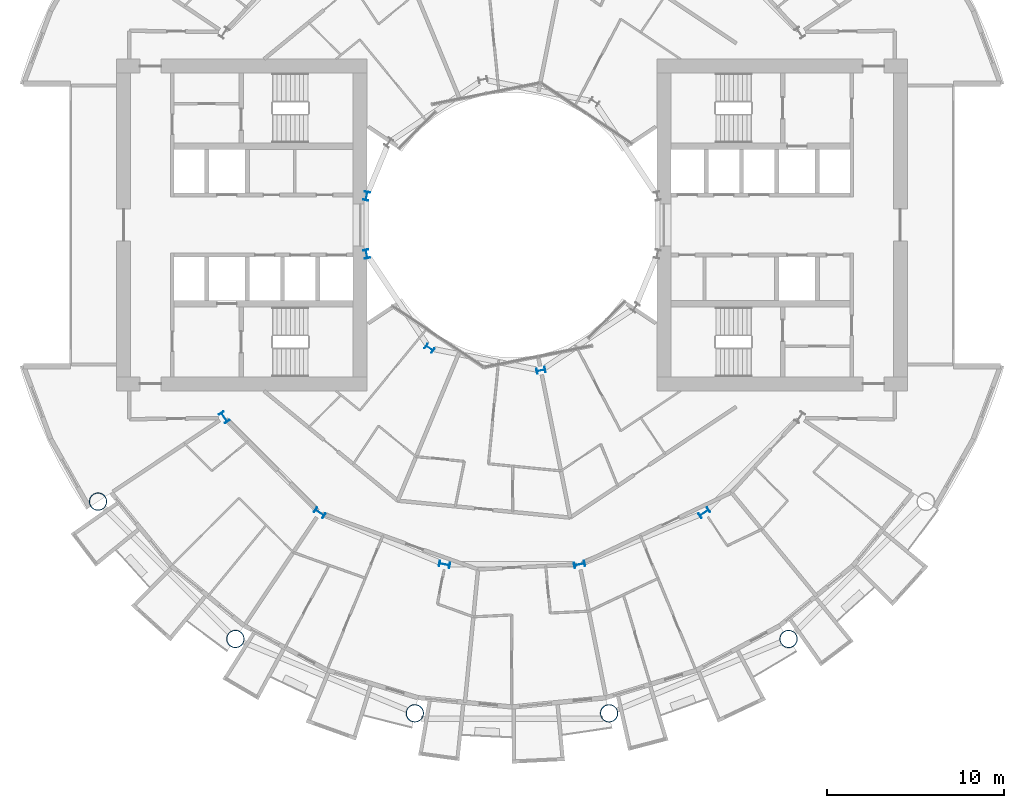
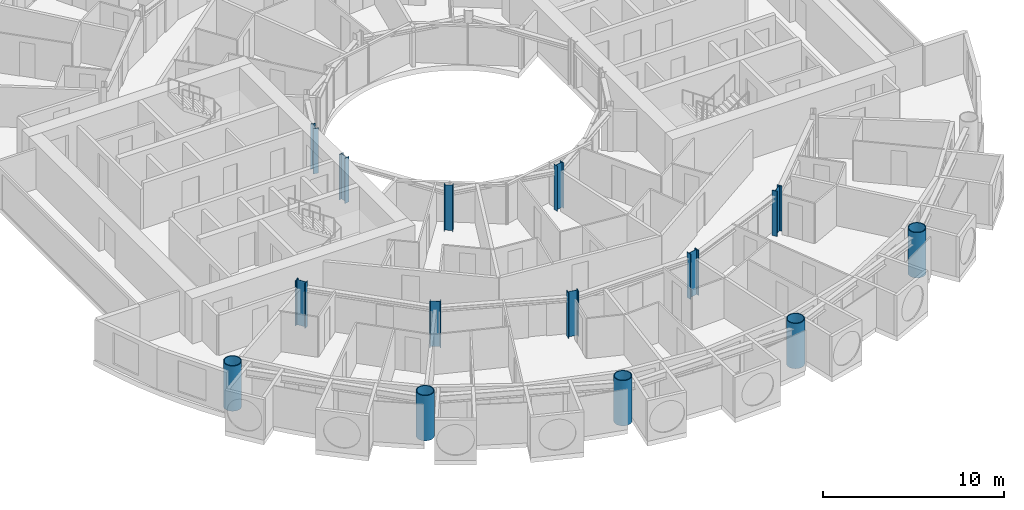
# One storey, part 1 of 26: 14 columns.
"""IFC4 building model written with IfcOpenShell, lengths in metres."""

from ifc_helpers import new_model, si_unit, direction, frame, origin, origin_2d, place, context, subcontext, project, spatial, hollow_circle, i_section, extrude, material, material_profile, profile_set, type_object, element, save


model = new_model("IFC4")

# Units and contexts
model_context = context("Model", 3, precision=1e-05, world=origin(), true_north=direction((0.0, 1.0)))
body_context = subcontext(model_context, "Body", "Model", "MODEL_VIEW")
ifc_project = project(units=[si_unit("LENGTHUNIT", "METRE"), si_unit("AREAUNIT", "SQUARE_METRE"), si_unit("VOLUMEUNIT", "CUBIC_METRE"), si_unit("PLANEANGLEUNIT", "RADIAN"), si_unit("MASSUNIT", "GRAM", prefix="KILO")], contexts=[model_context])

# Site, building, storey
site_placement = place(None, origin())
site = spatial("IfcSite", under=ifc_project, at=site_placement, CompositionType="ELEMENT")
building_placement = place(site_placement, origin())
building = spatial("IfcBuilding", under=site, at=building_placement, Name="Maasbend Ring Residences", CompositionType="ELEMENT")
storey_placement = place(building_placement, frame((0.0, 0.0, 25.85009765625)))
storey = spatial("IfcBuildingStorey", under=building, at=storey_placement, Name="L06", CompositionType="ELEMENT", Elevation=25.85009765625)

# Columns
ifc_material_1 = material(Name="Composite concrete-filled steel tube S460NH / C80/95", Category="concrete")
ifc_material_profile_1 = material_profile(ifc_material_1, hollow_circle(Radius=0.508056640625, WallThickness=0.050048828125, at=origin_2d()), Name="Composite tube column CHS 1016x50")
ifc_profile_set_1 = profile_set([ifc_material_profile_1], Name="Composite concrete-filled steel tube S460NH / C80/95")
column_type_1 = type_object("IfcColumnType", Name="Composite tube column CHS 1016x50", PredefinedType="COLUMN", material=ifc_profile_set_1)
for number, where, z_axis, x_axis, name in (
    (1, (-23.447509765625, -15.6669921875, 0.0), (0.0, 0.0, 1.0), (1.0, 0.0, 0.0), "Outer column R10"),
    (2, (-15.6669921875, -23.447509765625, 0.0), (0.0, 0.0, 1.0), (1.0, 0.0, 0.0), "Outer column R11"),
    (3, (-5.50146484375, -27.658203125, 0.0), (0.0, 0.0, 1.0), (1.0, 0.0, 0.0), "Outer column R12"),
    (4, (5.50146484375, -27.658203125, 0.0), (0.0, 0.0, 1.0), (1.0, 0.0, 0.0), "Outer column R13"),
    (5, (15.6669921875, -23.447509765625, 0.0), (0.0, 0.0, 1.0), (1.0, 0.0, 0.0), "Outer column R14"),
):
    element("IfcColumn", number, at=place(storey_placement, frame(where, z_axis=z_axis, x_axis=x_axis)), inside=storey, type_object=column_type_1, Name=name, PredefinedType="COLUMN", context=body_context, shape_type="SweptSolid", body=[
        extrude(hollow_circle(Radius=0.508056640625, WallThickness=0.050048828125, at=origin_2d()), origin(), (0.0, 0.0, 1.0), 3.0498046875),
    ])
ifc_material_2 = material(Name="Steel S355J2", Category="steel")
ifc_material_profile_2 = material_profile(ifc_material_2, i_section(OverallWidth=0.300048828125, OverallDepth=0.5, WebThickness=0.014404296875, FlangeThickness=0.028076171875, FilletRadius=0.027099609375, at=origin_2d()), Name="HEB 500")
ifc_profile_set_2 = profile_set([ifc_material_profile_2], Name="Steel S355J2")
column_type_2 = type_object("IfcColumnType", Name="Steel column HEB 500", PredefinedType="COLUMN", material=ifc_profile_set_2)
for number, where, z_axis, x_axis, name in (
    (6, (-8.238525390625, 1.638916015625, 0.0), (0.0, 0.0, 1.0), (-0.980785280403, 0.195090322016, 0.0), "Well ring column R8"),
    (7, (-8.238525390625, -1.638916015625, 0.0), (0.0, 0.0, 1.0), (-0.980785280403, -0.195090322016, 0.0), "Well ring column R9"),
    (8, (-4.666748046875, -6.984375, 0.0), (0.0, 0.0, 1.0), (-0.55557023302, -0.831469612303, 0.0), "Well ring column R11"),
    (9, (1.638916015625, -8.238525390625, 0.0), (0.0, 0.0, 1.0), (0.195090322016, -0.980785280403, 0.0), "Well ring column R13"),
):
    element("IfcColumn", number, at=place(storey_placement, frame(where, z_axis=z_axis, x_axis=x_axis)), inside=storey, type_object=column_type_2, Name=name, PredefinedType="COLUMN", context=body_context, shape_type="SweptSolid", body=[
        extrude(i_section(OverallWidth=0.300048828125, OverallDepth=0.5, WebThickness=0.014404296875, FlangeThickness=0.028076171875, FilletRadius=0.027099609375, at=origin_2d()), origin(), (0.0, 0.0, 1.0), 3.0498046875),
    ])
ifc_material_3 = material(Name="Steel S460M", Category="steel")
ifc_material_profile_3 = material_profile(ifc_material_3, i_section(OverallWidth=0.304931640625, OverallDepth=0.6201171875, WebThickness=0.02099609375, FlangeThickness=0.0400390625, FilletRadius=0.027099609375, at=origin_2d()), Name="HEM 600")
ifc_profile_set_3 = profile_set([ifc_material_profile_3], Name="Steel S460M")
column_type_3 = type_object("IfcColumnType", Name="Steel column HEM 600", PredefinedType="COLUMN", material=ifc_profile_set_3)
for number, where, z_axis, x_axis, name in (
    (10, (-16.296875, -10.88916015625, 0.0), (0.0, 0.0, 1.0), (-0.831469612303, -0.55557023302, 0.0), "Corridor ring column R10"),
    (11, (-10.88916015625, -16.296875, 0.0), (0.0, 0.0, 1.0), (-0.55557023302, -0.831469612303, 0.0), "Corridor ring column R11"),
    (12, (-3.82373046875, -19.223388671875, 0.0), (0.0, 0.0, 1.0), (-0.195090322016, -0.980785280403, 0.0), "Corridor ring column R12"),
    (13, (3.82373046875, -19.223388671875, 0.0), (0.0, 0.0, 1.0), (0.195090322016, -0.980785280403, 0.0), "Corridor ring column R13"),
    (14, (10.88916015625, -16.296875, 0.0), (0.0, 0.0, 1.0), (0.55557023302, -0.831469612303, 0.0), "Corridor ring column R14"),
):
    element("IfcColumn", number, at=place(storey_placement, frame(where, z_axis=z_axis, x_axis=x_axis)), inside=storey, type_object=column_type_3, Name=name, PredefinedType="COLUMN", context=body_context, shape_type="SweptSolid", body=[
        extrude(i_section(OverallWidth=0.304931640625, OverallDepth=0.6201171875, WebThickness=0.02099609375, FlangeThickness=0.0400390625, FilletRadius=0.027099609375, at=origin_2d()), origin(), (0.0, 0.0, 1.0), 3.0498046875),
    ])

save(model, "model.ifc")
